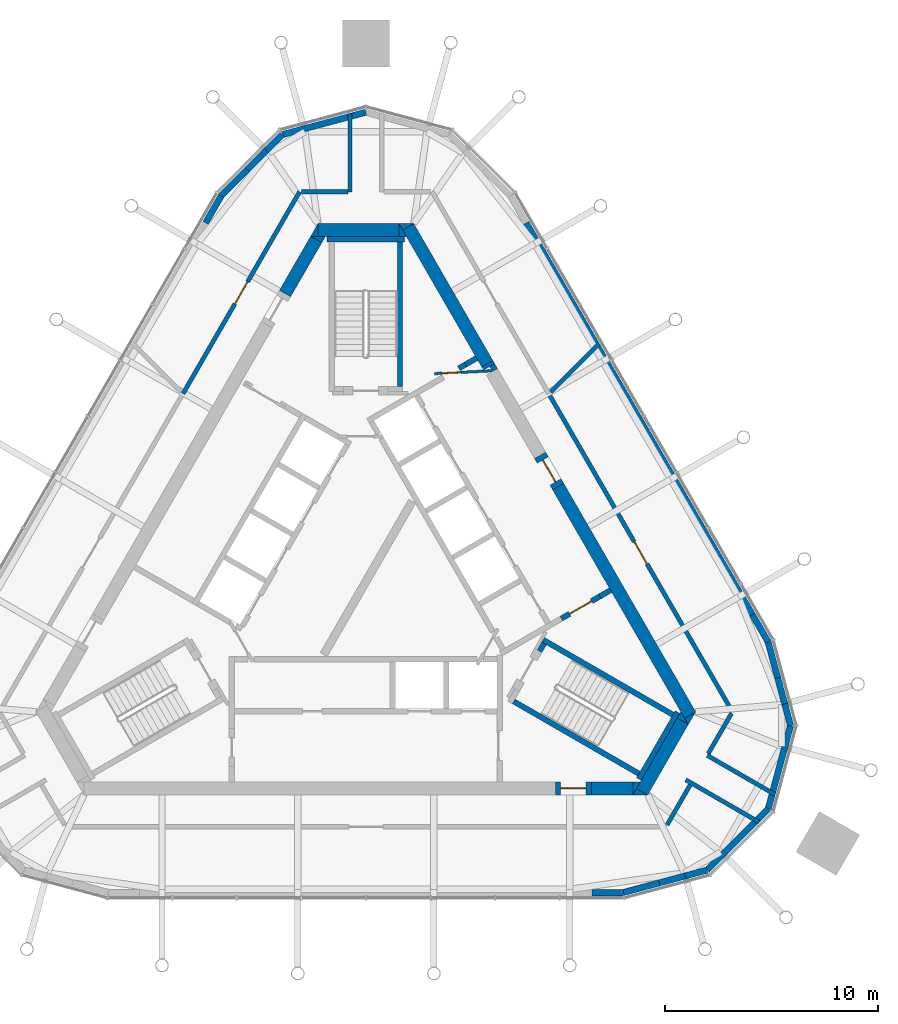
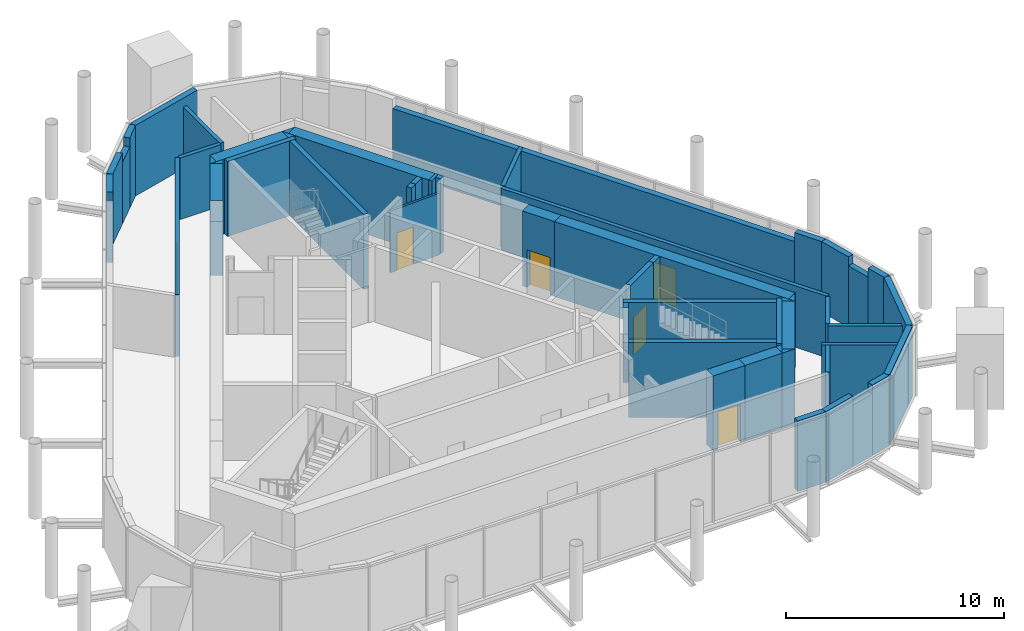
# One storey, part 9 of 11: 54 walls, 6 doors, 6 openings.
"""IFC4 building model written with IfcOpenShell, lengths in metres."""

from ifc_helpers import new_model, si_unit, direction, frame, frame_2d, origin, place, context, subcontext, project, spatial, polyline, rectangle, outline, extrude, material, layer, layer_set, type_object, element, fill, save


model = new_model("IFC4")

# Units and contexts
model_context = context("Model", 3, precision=1e-05, world=origin(), true_north=direction((0.0, 1.0)))
body_context = subcontext(model_context, "Body", "Model", "MODEL_VIEW")
ifc_project = project(units=[si_unit("LENGTHUNIT", "METRE"), si_unit("AREAUNIT", "SQUARE_METRE"), si_unit("VOLUMEUNIT", "CUBIC_METRE"), si_unit("PLANEANGLEUNIT", "RADIAN"), si_unit("MASSUNIT", "GRAM", prefix="KILO")], contexts=[model_context])

# Site, building, storey
site_placement = place(None, origin())
site = spatial("IfcSite", under=ifc_project, at=site_placement, CompositionType="ELEMENT")
building_placement = place(site_placement, origin())
building = spatial("IfcBuilding", under=site, at=building_placement, Name="Mestral Congress Tower", CompositionType="ELEMENT")
storey_placement = place(building_placement, frame((0.0, 0.0, 340.199951171875)))
storey = spatial("IfcBuildingStorey", under=building, at=storey_placement, Name="L79", CompositionType="ELEMENT", Elevation=340.199951171875)

# Wall, opening, door
ifc_material_1 = material(Name="Fire-rated board partition")
ifc_layer_1 = layer(ifc_material_1, 0.1201171875)
ifc_layer_set_1 = layer_set([ifc_layer_1], Name="Fire-rated board partition")
wall_type_1 = type_object("IfcWallType", Name="Core partition 150 door-wall 120", PredefinedType="PARTITIONING", material=ifc_layer_set_1)
wall_1_placement = place(storey_placement, frame((5.917236328125, 9.684326171875, 0.0), z_axis=(0.0, 0.0, 1.0), x_axis=(-0.998758194515, -0.049820366212, 0.0)))
wall_1 = element("IfcWall", 1, at=wall_1_placement, inside=storey, type_object=wall_type_1, Name="L79 door wall", PredefinedType="PARTITIONING", context=body_context, shape_type="SweptSolid", body=[
    extrude(rectangle(XDim=2.7001953125, YDim=0.119873046875, at=frame_2d((1.35009765625, 0.0))), origin(), (0.0, 0.0, 1.0), 3.449951171875),
])
opening_1_placement = place(wall_1_placement, frame((1.449951171875, 0.0, 0.0)))
opening_1 = element("IfcOpeningElement", 2, at=opening_1_placement, cuts=wall_1, Name="Opening TD2", PredefinedType="OPENING", context=body_context, shape_type="SweptSolid", body=[
    extrude(rectangle(XDim=0.89990234375, YDim=2.10009765625, at=frame_2d((0.449951171875, 1.050048828125))), frame((0.0, 0.06982421875, 0.0), z_axis=(0.0, -1.0, 0.0), x_axis=(1.0, 0.0, 0.0)), (0.0, 0.0, 1.0), 0.139892578125),
])
ifc_material_2 = material(Name="Fire-rated steel door set", Category="steel")
door_type_1 = type_object("IfcDoorType", Name="Core door SR 900x2100", OperationType="SINGLE_SWING_LEFT", PredefinedType="DOOR", material=ifc_material_2)
door_1_placement = place(opening_1_placement, origin())
door_1 = element("IfcDoor", 3, at=door_1_placement, inside=storey, type_object=door_type_1, Name="Door TD2", OperationType="SINGLE_SWING_LEFT", OverallHeight=2.10009765625, OverallWidth=0.89990234375, PredefinedType="DOOR", context=body_context, shape_type="SweptSolid", body=[
    extrude(rectangle(XDim=0.89990234375, YDim=2.10009765625, at=frame_2d((0.449951171875, 1.050048828125))), frame((0.0, 0.02490234375, 0.0), z_axis=(0.0, -1.0, 0.0), x_axis=(1.0, 0.0, 0.0)), (0.0, 0.0, 1.0), 0.050048828125),
])
fill(opening_1, door_1)

# Walls
ifc_material_3 = material(Name="Concrete C60/75", Category="concrete")
ifc_layer_2 = layer(ifc_material_3, 0.60009765625)
ifc_layer_set_2 = layer_set([ifc_layer_2], Name="Concrete C60/75")
wall_type_2 = type_object("IfcWallType", Name="Core wall RC 600", PredefinedType="SOLIDWALL", material=ifc_layer_set_2)
wall_2_placement = place(storey_placement, frame((9.0419921875, 4.23876953125, 0.0), z_axis=(0.0, 0.0, 1.0), x_axis=(0.500005785455, -0.866022063525, 0.0)))
element("IfcWall", 4, at=wall_2_placement, inside=storey, type_object=wall_type_2, Name="L79 core wall", PredefinedType="SOLIDWALL", context=body_context, shape_type="SweptSolid", body=[
    extrude(rectangle(XDim=12.406494140625, YDim=0.60009765625, at=frame_2d((6.203125, 0.0))), origin(), (0.0, 0.0, 1.0), 4.199951171875),
])
placement = place(storey_placement, origin())
element("IfcWall", 5, at=placement, inside=storey, type_object=wall_type_2, Name="L79 core wall", PredefinedType="SOLIDWALL", context=body_context, shape_type="SweptSolid", body=[
    extrude(outline(polyline([(15.155517578125, -6.949951171875), (14.986572265625, -6.6572265625), (15.493408203125, -6.364501953125), (15.155517578125, -6.949951171875)])), origin(), (0.0, 0.0, 1.0), 4.199951171875),
])
wall_4_placement = place(storey_placement, frame((12.9873046875, -10.105712890625, 0.0), z_axis=(0.0, 0.0, 1.0), x_axis=(0.499950938802, 0.866053727428, 0.0)))
element("IfcWall", 6, at=wall_4_placement, inside=storey, type_object=wall_type_2, Name="L79 core wall", PredefinedType="SOLIDWALL", context=body_context, shape_type="SweptSolid", body=[
    extrude(rectangle(XDim=3.8232421875, YDim=0.60009765625, at=frame_2d((1.91162109375, 0.0))), origin(), (0.0, 0.0, 1.0), 4.199951171875),
])
element("IfcWall", 7, at=placement, inside=storey, type_object=wall_type_2, Name="L79 core wall", PredefinedType="SOLIDWALL", context=body_context, shape_type="SweptSolid", body=[
    extrude(outline(polyline([(12.726318359375, -9.957275390625), (13.2333984375, -10.25), (12.557373046875, -10.25), (12.726318359375, -9.957275390625)])), origin(), (0.0, 0.0, 1.0), 4.199951171875),
])
element("IfcWall", 8, at=placement, inside=storey, type_object=wall_type_2, Name="L79 core wall", PredefinedType="SOLIDWALL", context=body_context, shape_type="SweptSolid", body=[
    extrude(outline(polyline([(14.80908203125, -6.35009765625), (15.147216796875, -6.935791015625), (14.639892578125, -6.642822265625), (14.80908203125, -6.35009765625)])), origin(), (0.0, 0.0, 1.0), 4.199951171875),
])
wall_7_placement = place(storey_placement, frame((10.6044921875, -9.949951171875, 0.0), z_axis=(0.0, 0.0, 1.0), x_axis=(1.0, 0.0, 0.0)))
element("IfcWall", 9, at=wall_7_placement, inside=storey, type_object=wall_type_2, Name="L79 core wall", PredefinedType="SOLIDWALL", context=body_context, shape_type="SweptSolid", body=[
    extrude(rectangle(XDim=1.959228515625, YDim=0.60009765625, at=frame_2d((0.9794921875, 0.0))), origin(), (0.0, 0.0, 1.0), 4.199951171875),
])
element("IfcWall", 10, at=placement, inside=storey, type_object=wall_type_2, Name="L79 core wall", PredefinedType="SOLIDWALL", context=body_context, shape_type="SweptSolid", body=[
    extrude(outline(polyline([(12.90380859375, -9.64990234375), (12.56591796875, -10.235595703125), (12.56591796875, -9.64990234375), (12.90380859375, -9.64990234375)])), origin(), (0.0, 0.0, 1.0), 4.199951171875),
])
wall_9_placement = place(storey_placement, frame((5.708740234375, 10.01220703125, 0.0), z_axis=(0.0, 0.0, 1.0), x_axis=(0.500399834964, -0.865794435861, 0.0)))
element("IfcWall", 11, at=wall_9_placement, inside=storey, type_object=wall_type_2, Name="L79 core wall", PredefinedType="SOLIDWALL", context=body_context, shape_type="SweptSolid", body=[
    extrude(rectangle(XDim=0.166259765625, YDim=0.60009765625, at=frame_2d((0.0830078125, 0.0))), origin(), (0.0, 0.0, 1.0), 4.199951171875),
])
element("IfcWall", 12, at=placement, inside=storey, type_object=wall_type_2, Name="L79 core wall", PredefinedType="SOLIDWALL", context=body_context, shape_type="SweptSolid", body=[
    extrude(outline(polyline([(6.052734375, 10.016357421875), (6.186767578125, 9.7841796875), (5.961181640625, 9.654052734375), (5.8271484375, 9.88623046875), (6.052734375, 10.016357421875)])), origin(), (0.0, 0.0, 1.0), 4.199951171875),
])
wall_11_placement = place(storey_placement, frame((1.98876953125, 16.45556640625, 0.0), z_axis=(0.0, 0.0, 1.0), x_axis=(0.499990476767, -0.866030901956, 0.0)))
element("IfcWall", 13, at=wall_11_placement, inside=storey, type_object=wall_type_2, Name="L79 core wall", PredefinedType="SOLIDWALL", context=body_context, shape_type="SweptSolid", body=[
    extrude(rectangle(XDim=7.438232421875, YDim=0.60009765625, at=frame_2d((3.71923828125, 0.0))), origin(), (0.0, 0.0, 1.0), 4.199951171875),
])
element("IfcWall", 14, at=placement, inside=storey, type_object=wall_type_2, Name="L79 core wall", PredefinedType="SOLIDWALL", context=body_context, shape_type="SweptSolid", body=[
    extrude(outline(polyline([(1.558837890625, 16.60009765625), (2.23486328125, 16.60009765625), (1.727783203125, 16.307373046875), (1.558837890625, 16.60009765625)])), origin(), (0.0, 0.0, 1.0), 4.199951171875),
])
wall_13_placement = place(storey_placement, frame((-2.258056640625, 16.300048828125, 0.0), z_axis=(0.0, 0.0, 1.0), x_axis=(1.0, 0.0, 0.0)))
element("IfcWall", 15, at=wall_13_placement, inside=storey, type_object=wall_type_2, Name="L79 core wall", PredefinedType="SOLIDWALL", context=body_context, shape_type="SweptSolid", body=[
    extrude(rectangle(XDim=3.8232421875, YDim=0.60009765625, at=frame_2d((1.91162109375, 0.0))), origin(), (0.0, 0.0, 1.0), 4.199951171875),
])
element("IfcWall", 16, at=placement, inside=storey, type_object=wall_type_2, Name="L79 core wall", PredefinedType="SOLIDWALL", context=body_context, shape_type="SweptSolid", body=[
    extrude(outline(polyline([(1.9052734375, 16.0), (1.5673828125, 16.0), (1.5673828125, 16.58544921875), (1.9052734375, 16.0)])), origin(), (0.0, 0.0, 1.0), 4.199951171875),
])
element("IfcWall", 17, at=placement, inside=storey, type_object=wall_type_2, Name="L79 core wall", PredefinedType="SOLIDWALL", context=body_context, shape_type="SweptSolid", body=[
    extrude(outline(polyline([(-2.59814453125, 16.0), (-2.260009765625, 16.58544921875), (-2.260009765625, 16.0), (-2.59814453125, 16.0)])), origin(), (0.0, 0.0, 1.0), 4.199951171875),
])
wall_16_placement = place(storey_placement, frame((-2.335205078125, 15.85546875, 0.0), z_axis=(0.0, 0.0, 1.0), x_axis=(-0.499960127962, -0.866048422692, 0.0)))
element("IfcWall", 18, at=wall_16_placement, inside=storey, type_object=wall_type_2, Name="L79 core wall", PredefinedType="SOLIDWALL", context=body_context, shape_type="SweptSolid", body=[
    extrude(rectangle(XDim=2.934326171875, YDim=0.60009765625, at=frame_2d((1.46728515625, 0.0))), origin(), (0.0, 0.0, 1.0), 4.199951171875),
])
element("IfcWall", 19, at=placement, inside=storey, type_object=wall_type_2, Name="L79 core wall", PredefinedType="SOLIDWALL", context=body_context, shape_type="SweptSolid", body=[
    extrude(outline(polyline([(-1.9052734375, 16.0), (-2.07421875, 15.707275390625), (-2.581298828125, 16.0), (-1.9052734375, 16.0)])), origin(), (0.0, 0.0, 1.0), 4.199951171875),
])

# Wall, opening, door
wall_18_placement = place(storey_placement, frame((10.6044921875, -9.949951171875, 0.0), z_axis=(0.0, 0.0, 1.0), x_axis=(-1.0, 0.0, 0.0)))
wall_18 = element("IfcWall", 20, at=wall_18_placement, inside=storey, type_object=wall_type_2, Name="L79 door wall", PredefinedType="SOLIDWALL", context=body_context, shape_type="SweptSolid", body=[
    extrude(rectangle(XDim=1.699951171875, YDim=0.60009765625, at=frame_2d((0.85009765625, 0.0))), origin(), (0.0, 0.0, 1.0), 4.199951171875),
])
opening_2_placement = place(wall_18_placement, frame((0.25, 0.0, 0.0)))
opening_2 = element("IfcOpeningElement", 21, at=opening_2_placement, cuts=wall_18, Name="Opening XD1", PredefinedType="OPENING", context=body_context, shape_type="SweptSolid", body=[
    extrude(rectangle(XDim=1.199951171875, YDim=2.10009765625, at=frame_2d((0.60009765625, 1.050048828125))), frame((0.0, 0.31005859375, 0.0), z_axis=(0.0, -1.0, 0.0), x_axis=(1.0, 0.0, 0.0)), (0.0, 0.0, 1.0), 0.6201171875),
])
door_type_2 = type_object("IfcDoorType", Name="Core door XD 1200x2100", OperationType="SINGLE_SWING_LEFT", PredefinedType="DOOR", material=ifc_material_2)
door_2_placement = place(opening_2_placement, origin())
door_2 = element("IfcDoor", 22, at=door_2_placement, inside=storey, type_object=door_type_2, Name="Door XD1", OperationType="SINGLE_SWING_LEFT", OverallHeight=2.10009765625, OverallWidth=1.199951171875, PredefinedType="DOOR", context=body_context, shape_type="SweptSolid", body=[
    extrude(rectangle(XDim=1.199951171875, YDim=2.10009765625, at=frame_2d((0.60009765625, 1.050048828125))), frame((0.0, 0.02490234375, 0.0), z_axis=(0.0, -1.0, 0.0), x_axis=(1.0, 0.0, 0.0)), (0.0, 0.0, 1.0), 0.050048828125),
])
fill(opening_2, door_2)

wall_19_placement = place(storey_placement, frame((8.19189453125, 5.711181640625, 0.0), z_axis=(0.0, 0.0, 1.0), x_axis=(0.500062241894, -0.865989465428, 0.0)))
wall_19 = element("IfcWall", 23, at=wall_19_placement, inside=storey, type_object=wall_type_2, Name="L79 door wall", PredefinedType="SOLIDWALL", context=body_context, shape_type="SweptSolid", body=[
    extrude(rectangle(XDim=1.699951171875, YDim=0.60009765625, at=frame_2d((0.85009765625, 0.0))), origin(), (0.0, 0.0, 1.0), 4.199951171875),
])
opening_3_placement = place(wall_19_placement, frame((0.25, 0.0, 0.0)))
opening_3 = element("IfcOpeningElement", 24, at=opening_3_placement, cuts=wall_19, Name="Opening XDL", PredefinedType="OPENING", context=body_context, shape_type="SweptSolid", body=[
    extrude(rectangle(XDim=1.199951171875, YDim=2.10009765625, at=frame_2d((0.60009765625, 1.050048828125))), frame((0.0, 0.31005859375, 0.0), z_axis=(0.0, -1.0, 0.0), x_axis=(1.0, 0.0, 0.0)), (0.0, 0.0, 1.0), 0.6201171875),
])
door_3_placement = place(opening_3_placement, origin())
door_3 = element("IfcDoor", 25, at=door_3_placement, inside=storey, type_object=door_type_2, Name="Door XDL", OperationType="SINGLE_SWING_LEFT", OverallHeight=2.10009765625, OverallWidth=1.199951171875, PredefinedType="DOOR", context=body_context, shape_type="SweptSolid", body=[
    extrude(rectangle(XDim=1.199951171875, YDim=2.10009765625, at=frame_2d((0.60009765625, 1.050048828125))), frame((0.0, 0.02490234375, 0.0), z_axis=(0.0, -1.0, 0.0), x_axis=(1.0, 0.0, 0.0)), (0.0, 0.0, 1.0), 0.050048828125),
])
fill(opening_3, door_3)

# Walls
ifc_material_4 = material(Name="Precast concrete C40/50 with limestone facing", Category="masonry")
ifc_layer_3 = layer(ifc_material_4, 0.300048828125)
ifc_layer_set_3 = layer_set([ifc_layer_3], Name="Precast concrete C40/50 with limestone facing")
wall_type_3 = type_object("IfcWallType", Name="Crown plant block wall 300", PredefinedType="SOLIDWALL", material=ifc_layer_set_3)
wall_20_placement = place(storey_placement, frame((12.104736328125, -14.85009765625, 0.0), z_axis=(0.0, 0.0, 1.0), x_axis=(0.965915089044, 0.258859113723, 0.0)))
element("IfcWall", 26, at=wall_20_placement, inside=storey, type_object=wall_type_3, Name="Plant block wall 1", PredefinedType="SOLIDWALL", context=body_context, shape_type="SweptSolid", body=[
    extrude(rectangle(XDim=1.75244140625, YDim=0.300048828125, at=frame_2d((0.876220703125, 0.0))), origin(), (0.0, 0.0, 1.0), 3.949951171875),
])
wall_21_placement = place(storey_placement, frame((15.018310546875, -14.0693359375, 0.0), z_axis=(0.0, 0.0, 1.0), x_axis=(0.965918371587, 0.258846864828, 0.0)))
element("IfcWall", 27, at=wall_21_placement, inside=storey, type_object=wall_type_3, Name="Plant block wall 1", PredefinedType="SOLIDWALL", context=body_context, shape_type="SweptSolid", body=[
    extrude(rectangle(XDim=1.06494140625, YDim=0.300048828125, at=frame_2d((0.532470703125, 0.0))), origin(), (0.0, 0.0, 1.0), 3.949951171875),
])
for number, where, z_axis, x_axis, name in (
    (28, (16.046875, -13.793701171875, 0.0), (0.0, 0.0, 1.0), (0.707106781187, 0.707106781187, 0.0), "Plant block wall 2"),
    (29, (18.918212890625, -10.92236328125, 0.0), (0.0, 0.0, 1.0), (0.258770144726, 0.965938927779, 0.0), "Plant block wall 3"),
):
    element("IfcWall", number, at=place(storey_placement, frame(where, z_axis=z_axis, x_axis=x_axis)), inside=storey, type_object=wall_type_3, Name=name, PredefinedType="SOLIDWALL", context=body_context, shape_type="SweptSolid", body=[
        extrude(rectangle(XDim=4.060791015625, YDim=0.300048828125, at=frame_2d((2.0302734375, 0.0))), origin(), (0.0, 0.0, 1.0), 3.949951171875),
    ])
wall_22_placement = place(storey_placement, frame((19.968994140625, -7.0, 0.0), z_axis=(0.0, 0.0, 1.0), x_axis=(-0.258690231517, 0.96596033258, 0.0)))
element("IfcWall", 30, at=wall_22_placement, inside=storey, type_object=wall_type_3, Name="Plant block wall 4", PredefinedType="SOLIDWALL", context=body_context, shape_type="SweptSolid", body=[
    extrude(rectangle(XDim=1.064453125, YDim=0.300048828125, at=frame_2d((0.5322265625, 0.0))), origin(), (0.0, 0.0, 1.0), 3.949951171875),
])
wall_23_placement = place(storey_placement, frame((19.366455078125, -4.750732421875, 0.0), z_axis=(0.0, 0.0, 1.0), x_axis=(-0.258824282894, 0.965924422812, 0.0)))
element("IfcWall", 31, at=wall_23_placement, inside=storey, type_object=wall_type_3, Name="Plant block wall 4", PredefinedType="SOLIDWALL", context=body_context, shape_type="SweptSolid", body=[
    extrude(rectangle(XDim=1.752685546875, YDim=0.300048828125, at=frame_2d((0.87646484375, 0.0))), origin(), (0.0, 0.0, 1.0), 3.949951171875),
])
wall_24_placement = place(storey_placement, frame((18.912841796875, -3.057861328125, 0.0), z_axis=(0.0, 0.0, 1.0), x_axis=(-0.500049712553, 0.865996700326, 0.0)))
element("IfcWall", 32, at=wall_24_placement, inside=storey, type_object=wall_type_3, Name="Plant block wall 5", PredefinedType="SOLIDWALL", context=body_context, shape_type="SweptSolid", body=[
    extrude(rectangle(XDim=1.463623046875, YDim=0.300048828125, at=frame_2d((0.73193359375, 0.0))), origin(), (0.0, 0.0, 1.0), 3.949951171875),
])
wall_25_placement = place(storey_placement, frame((0.0, 21.8447265625, 0.0), z_axis=(0.0, 0.0, 1.0), x_axis=(-0.965923898226, -0.258826240624, 0.0)))
element("IfcWall", 33, at=wall_25_placement, inside=storey, type_object=wall_type_3, Name="Plant block wall 8", PredefinedType="SOLIDWALL", context=body_context, shape_type="SweptSolid", body=[
    extrude(rectangle(XDim=4.060791015625, YDim=0.300048828125, at=frame_2d((2.0302734375, 0.0))), origin(), (0.0, 0.0, 1.0), 3.949951171875),
])
wall_26_placement = place(storey_placement, frame((-3.92236328125, 20.793701171875, 0.0), z_axis=(0.0, 0.0, 1.0), x_axis=(-0.707106781187, -0.707106781187, 0.0)))
element("IfcWall", 34, at=wall_26_placement, inside=storey, type_object=wall_type_3, Name="Plant block wall 9", PredefinedType="SOLIDWALL", context=body_context, shape_type="SweptSolid", body=[
    extrude(rectangle(XDim=1.064697265625, YDim=0.300048828125, at=frame_2d((0.5322265625, 0.0))), origin(), (0.0, 0.0, 1.0), 3.949951171875),
])
wall_27_placement = place(storey_placement, frame((-5.5693359375, 19.146728515625, 0.0), z_axis=(0.0, 0.0, 1.0), x_axis=(-0.707106781187, -0.707106781187, 0.0)))
element("IfcWall", 35, at=wall_27_placement, inside=storey, type_object=wall_type_3, Name="Plant block wall 9", PredefinedType="SOLIDWALL", context=body_context, shape_type="SweptSolid", body=[
    extrude(rectangle(XDim=1.751953125, YDim=0.300048828125, at=frame_2d((0.8759765625, 0.0))), origin(), (0.0, 0.0, 1.0), 3.949951171875),
])
for number, where, z_axis, x_axis, name in (
    (36, (-6.80810546875, 17.907958984375, 0.0), (0.0, 0.0, 1.0), (-0.499977492351, -0.866038398192, 0.0), "Plant block wall 10"),
    (37, (10.640869140625, -14.85009765625, 0.0), (0.0, 0.0, 1.0), (1.0, 0.0, 0.0), "Plant block wall 15"),
):
    element("IfcWall", number, at=place(storey_placement, frame(where, z_axis=z_axis, x_axis=x_axis)), inside=storey, type_object=wall_type_3, Name=name, PredefinedType="SOLIDWALL", context=body_context, shape_type="SweptSolid", body=[
        extrude(rectangle(XDim=1.4638671875, YDim=0.300048828125, at=frame_2d((0.73193359375, 0.0))), origin(), (0.0, 0.0, 1.0), 3.949951171875),
    ])
ifc_layer_4 = layer(ifc_material_4, 0.300048828125)
ifc_layer_set_4 = layer_set([ifc_layer_4], Name="Precast concrete C40/50 with limestone facing")
wall_type_4 = type_object("IfcWallType", Name="Crown plant block wall 300 under girder", PredefinedType="SOLIDWALL", material=ifc_layer_set_4)
for number, where, z_axis, x_axis, name in (
    (38, (13.79736328125, -14.396484375, 0.0), (0.0, 0.0, 1.0), (0.965926498018, 0.258816538161, 0.0), "Plant block wall 1"),
    (39, (19.693603515625, -5.9716796875, 0.0), (0.0, 0.0, 1.0), (-0.258816538161, 0.965926498018, 0.0), "Plant block wall 4"),
):
    element("IfcWall", number, at=place(storey_placement, frame(where, z_axis=z_axis, x_axis=x_axis)), inside=storey, type_object=wall_type_4, Name=name, PredefinedType="SOLIDWALL", context=body_context, shape_type="SweptSolid", body=[
        extrude(rectangle(XDim=1.263916015625, YDim=0.300048828125, at=frame_2d((0.6318359375, 0.0))), origin(), (0.0, 0.0, 1.0), 3.449951171875),
    ])
wall_28_placement = place(storey_placement, frame((18.180908203125, -1.790283203125, 0.0), z_axis=(0.0, 0.0, 1.0), x_axis=(-0.500002158106, 0.866024157798, 0.0)))
element("IfcWall", 40, at=wall_28_placement, inside=storey, type_object=wall_type_4, Name="Plant block wall 5", PredefinedType="SOLIDWALL", context=body_context, shape_type="SweptSolid", body=[
    extrude(rectangle(XDim=21.28173828125, YDim=0.300048828125, at=frame_2d((10.640869140625, 0.0))), origin(), (0.0, 0.0, 1.0), 3.449951171875),
])
wall_29_placement = place(storey_placement, frame((-4.67529296875, 20.040771484375, 0.0), z_axis=(0.0, 0.0, 1.0), x_axis=(-0.707106781187, -0.707106781187, 0.0)))
element("IfcWall", 41, at=wall_29_placement, inside=storey, type_object=wall_type_4, Name="Plant block wall 9", PredefinedType="SOLIDWALL", context=body_context, shape_type="SweptSolid", body=[
    extrude(rectangle(XDim=1.264404296875, YDim=0.300048828125, at=frame_2d((0.63232421875, 0.0))), origin(), (0.0, 0.0, 1.0), 3.449951171875),
])
ifc_layer_5 = layer(ifc_material_3, 0.25)
ifc_layer_set_5 = layer_set([ifc_layer_5], Name="Concrete C60/75")
wall_type_5 = type_object("IfcWallType", Name="Shaft wall RC 250", PredefinedType="SOLIDWALL", material=ifc_layer_set_5)
wall_30_placement = place(storey_placement, frame((11.507080078125, -0.631103515625, 0.0), z_axis=(0.0, 0.0, 1.0), x_axis=(-0.866093731455, -0.499881634324, 0.0)))
element("IfcWall", 42, at=wall_30_placement, inside=storey, type_object=wall_type_5, Name="L79 core wall", PredefinedType="SOLIDWALL", context=body_context, shape_type="SweptSolid", body=[
    extrude(rectangle(XDim=0.575439453125, YDim=0.25, at=frame_2d((0.28759765625, 0.0))), origin(), (0.0, 0.0, 1.0), 4.199951171875),
])
wall_31_placement = place(storey_placement, frame((4.6875, 9.98095703125, 0.0), z_axis=(0.0, 0.0, 1.0), x_axis=(-0.865974312977, -0.500088481434, 0.0)))
element("IfcWall", 43, at=wall_31_placement, inside=storey, type_object=wall_type_5, Name="L79 core wall", PredefinedType="SOLIDWALL", context=body_context, shape_type="SweptSolid", body=[
    extrude(rectangle(XDim=0.36572265625, YDim=0.25, at=frame_2d((0.182861328125, 0.0))), origin(), (0.0, 0.0, 1.0), 4.199951171875),
])
wall_32_placement = place(storey_placement, frame((4.689208984375, 9.98193359375, 0.0), z_axis=(0.0, 0.0, 1.0), x_axis=(0.865947592822, 0.500134748329, 0.0)))
element("IfcWall", 44, at=wall_32_placement, inside=storey, type_object=wall_type_5, Name="L79 core wall", PredefinedType="SOLIDWALL", context=body_context, shape_type="SweptSolid", body=[
    extrude(rectangle(XDim=0.597900390625, YDim=0.25, at=frame_2d((0.298828125, 0.0))), origin(), (0.0, 0.0, 1.0), 4.199951171875),
])

# Wall, opening, door
wall_33_placement = place(storey_placement, frame((11.0087890625, -0.918701171875, 0.0), z_axis=(0.0, 0.0, 1.0), x_axis=(-0.866059744384, -0.49994051562, 0.0)))
wall_33 = element("IfcWall", 45, at=wall_33_placement, inside=storey, type_object=wall_type_5, Name="L79 door wall", PredefinedType="SOLIDWALL", context=body_context, shape_type="SweptSolid", body=[
    extrude(rectangle(XDim=2.099853515625, YDim=0.25, at=frame_2d((1.0498046875, 0.0))), origin(), (0.0, 0.0, 1.0), 4.199951171875),
])
opening_4_placement = place(wall_33_placement, frame((0.449951171875, 0.0, 0.0)))
opening_4 = element("IfcOpeningElement", 46, at=opening_4_placement, cuts=wall_33, Name="Opening LB1-PX10", PredefinedType="OPENING", context=body_context, shape_type="SweptSolid", body=[
    extrude(rectangle(XDim=1.199951171875, YDim=2.10009765625, at=frame_2d((0.60009765625, 1.050048828125))), frame((0.0, 0.135009765625, 0.0), z_axis=(0.0, -1.0, 0.0), x_axis=(1.0, 0.0, 0.0)), (0.0, 0.0, 1.0), 0.27001953125),
])
door_type_3 = type_object("IfcDoorType", Name="Core door LB 1200x2100", OperationType="SINGLE_SWING_LEFT", PredefinedType="DOOR", material=ifc_material_2)
door_4_placement = place(opening_4_placement, origin())
door_4 = element("IfcDoor", 47, at=door_4_placement, inside=storey, type_object=door_type_3, Name="Door LB1-PX10", OperationType="SINGLE_SWING_LEFT", OverallHeight=2.10009765625, OverallWidth=1.199951171875, PredefinedType="DOOR", context=body_context, shape_type="SweptSolid", body=[
    extrude(rectangle(XDim=1.199951171875, YDim=2.10009765625, at=frame_2d((0.60009765625, 1.050048828125))), frame((0.0, 0.02490234375, 0.0), z_axis=(0.0, -1.0, 0.0), x_axis=(1.0, 0.0, 0.0)), (0.0, 0.0, 1.0), 0.050048828125),
])
fill(opening_4, door_4)

ifc_material_5 = material(Name="Concrete block wall, plastered", Category="concrete")
ifc_layer_6 = layer(ifc_material_5, 0.199951171875)
ifc_layer_set_6 = layer_set([ifc_layer_6], Name="Concrete block wall, plastered")
wall_type_6 = type_object("IfcWallType", Name="Special partition 200 EI 120", PredefinedType="PARTITIONING", material=ifc_layer_set_6)
wall_34_placement = place(storey_placement, frame((17.23388671875, -6.35009765625, 0.0), z_axis=(0.0, 0.0, 1.0), x_axis=(-0.499992973356, 0.866029460581, 0.0)))
wall_34 = element("IfcWall", 48, at=wall_34_placement, inside=storey, type_object=wall_type_6, Name="Partition", PredefinedType="PARTITIONING", context=body_context, shape_type="SweptSolid", body=[
    extrude(rectangle(XDim=17.264892578125, YDim=0.199951171875, at=frame_2d((8.63232421875, 0.0))), origin(), (0.0, 0.0, 1.0), 3.449951171875),
])
opening_5_placement = place(wall_34_placement, frame((8.032470703125, 0.0, 0.0)))
opening_5 = element("IfcOpeningElement", 49, at=opening_5_placement, cuts=wall_34, Name="Opening K79-002", PredefinedType="OPENING", context=body_context, shape_type="SweptSolid", body=[
    extrude(rectangle(XDim=1.199951171875, YDim=2.10009765625, at=frame_2d((0.60009765625, 1.050048828125))), frame((0.0, 0.10986328125, 0.0), z_axis=(0.0, -1.0, 0.0), x_axis=(1.0, 0.0, 0.0)), (0.0, 0.0, 1.0), 0.219970703125),
])
door_type_4 = type_object("IfcDoorType", Name="Plant room door 1200x2100", OperationType="SINGLE_SWING_LEFT", PredefinedType="DOOR", material=ifc_material_2)
door_5_placement = place(opening_5_placement, origin())
door_5 = element("IfcDoor", 50, at=door_5_placement, inside=storey, type_object=door_type_4, Name="Door K79-002", OperationType="SINGLE_SWING_LEFT", OverallHeight=2.10009765625, OverallWidth=1.199951171875, PredefinedType="DOOR", context=body_context, shape_type="SweptSolid", body=[
    extrude(rectangle(XDim=1.199951171875, YDim=2.10009765625, at=frame_2d((0.60009765625, 1.050048828125))), frame((0.0, 0.02490234375, 0.0), z_axis=(0.0, -1.0, 0.0), x_axis=(1.0, 0.0, 0.0)), (0.0, 0.0, 1.0), 0.050048828125),
])
fill(opening_5, door_5)

wall_35_placement = place(storey_placement, frame((-3.11767578125, 18.10009765625, 0.0), z_axis=(0.0, 0.0, 1.0), x_axis=(-0.499996953601, -0.866027162616, 0.0)))
wall_35 = element("IfcWall", 51, at=wall_35_placement, inside=storey, type_object=wall_type_6, Name="Partition", PredefinedType="PARTITIONING", context=body_context, shape_type="SweptSolid", body=[
    extrude(rectangle(XDim=10.9580078125, YDim=0.199951171875, at=frame_2d((5.47900390625, 0.0))), origin(), (0.0, 0.0, 1.0), 3.449951171875),
])
opening_6_placement = place(wall_35_placement, frame((4.87890625, 0.0, 0.0)))
opening_6 = element("IfcOpeningElement", 52, at=opening_6_placement, cuts=wall_35, Name="Opening K79-004", PredefinedType="OPENING", context=body_context, shape_type="SweptSolid", body=[
    extrude(rectangle(XDim=1.199951171875, YDim=2.10009765625, at=frame_2d((0.60009765625, 1.050048828125))), frame((0.0, 0.10986328125, 0.0), z_axis=(0.0, -1.0, 0.0), x_axis=(1.0, 0.0, 0.0)), (0.0, 0.0, 1.0), 0.219970703125),
])
door_6_placement = place(opening_6_placement, origin())
door_6 = element("IfcDoor", 53, at=door_6_placement, inside=storey, type_object=door_type_4, Name="Door K79-004", OperationType="SINGLE_SWING_RIGHT", OverallHeight=2.10009765625, OverallWidth=1.199951171875, PredefinedType="DOOR", context=body_context, shape_type="SweptSolid", body=[
    extrude(rectangle(XDim=1.199951171875, YDim=2.10009765625, at=frame_2d((0.60009765625, 1.050048828125))), frame((0.0, 0.02490234375, 0.0), z_axis=(0.0, -1.0, 0.0), x_axis=(1.0, 0.0, 0.0)), (0.0, 0.0, 1.0), 0.050048828125),
])
fill(opening_6, door_6)

# Walls
wall_36_placement = place(storey_placement, frame((16.050048828125, -8.400390625, 0.0), z_axis=(0.0, 0.0, 1.0), x_axis=(0.866026863259, -0.499997472108, 0.0)))
element("IfcWall", 54, at=wall_36_placement, inside=storey, type_object=wall_type_6, Name="Partition", PredefinedType="PARTITIONING", context=body_context, shape_type="SweptSolid", body=[
    extrude(rectangle(XDim=3.6884765625, YDim=0.199951171875, at=frame_2d((1.84423828125, 0.0))), origin(), (0.0, 0.0, 1.0), 3.449951171875),
])
wall_37_placement = place(storey_placement, frame((18.494384765625, -11.543701171875, 0.0), z_axis=(0.0, 0.0, 1.0), x_axis=(-0.866034723298, 0.499983857782, 0.0)))
element("IfcWall", 55, at=wall_37_placement, inside=storey, type_object=wall_type_6, Name="Partition", PredefinedType="PARTITIONING", context=body_context, shape_type="SweptSolid", body=[
    extrude(rectangle(XDim=3.988525390625, YDim=0.199951171875, at=frame_2d((1.994140625, 0.0))), origin(), (0.0, 0.0, 1.0), 3.449951171875),
])
wall_38_placement = place(storey_placement, frame((-0.75, 18.10009765625, 0.0), z_axis=(0.0, 0.0, 1.0), x_axis=(0.0, 1.0, 0.0)))
element("IfcWall", 56, at=wall_38_placement, inside=storey, type_object=wall_type_6, Name="Partition", PredefinedType="PARTITIONING", context=body_context, shape_type="SweptSolid", body=[
    extrude(rectangle(XDim=3.6884765625, YDim=0.199951171875, at=frame_2d((1.84423828125, 0.0))), origin(), (0.0, 0.0, 1.0), 3.449951171875),
])
wall_39_placement = place(storey_placement, frame((8.693603515625, 8.693603515625, 0.0), z_axis=(0.0, 0.0, 1.0), x_axis=(0.707106781187, 0.707106781187, 0.0)))
element("IfcWall", 57, at=wall_39_placement, inside=storey, type_object=wall_type_6, Name="Partition", PredefinedType="PARTITIONING", context=body_context, shape_type="SweptSolid", body=[
    extrude(rectangle(XDim=3.22412109375, YDim=0.199951171875, at=frame_2d((1.612060546875, 0.0))), origin(), (0.0, 0.0, 1.0), 3.449951171875),
])
wall_40_placement = place(storey_placement, frame((-3.027587890625, 18.10009765625, 0.0), z_axis=(0.0, 0.0, 1.0), x_axis=(1.0, 0.0, 0.0)))
element("IfcWall", 58, at=wall_40_placement, inside=storey, type_object=wall_type_6, Name="Partition", PredefinedType="PARTITIONING", context=body_context, shape_type="SweptSolid", body=[
    extrude(rectangle(XDim=2.177490234375, YDim=0.199951171875, at=frame_2d((1.0888671875, 0.0))), origin(), (0.0, 0.0, 1.0), 3.449951171875),
])
for number, where, z_axis, x_axis, name in (
    (59, (15.25, -9.7861328125, 0.0), (0.0, 0.0, 1.0), (-0.499997407846, -0.86602690036, 0.0), "Partition"),
    (60, (17.18896484375, -6.427978515625, 0.0), (0.0, 0.0, 1.0), (-0.499997407846, -0.86602690036, 0.0), "Partition"),
):
    element("IfcWall", number, at=place(storey_placement, frame(where, z_axis=z_axis, x_axis=x_axis)), inside=storey, type_object=wall_type_6, Name=name, PredefinedType="PARTITIONING", context=body_context, shape_type="SweptSolid", body=[
        extrude(rectangle(XDim=2.177734375, YDim=0.199951171875, at=frame_2d((1.0888671875, 0.0))), origin(), (0.0, 0.0, 1.0), 3.449951171875),
    ])
ifc_layer_7 = layer(ifc_material_3, 0.25)
ifc_layer_set_7 = layer_set([ifc_layer_7], Name="Concrete C60/75")
wall_type_7 = type_object("IfcWallType", Name="Stair wall RC 250", PredefinedType="SOLIDWALL", material=ifc_layer_set_7)
wall_41_placement = place(storey_placement, frame((12.839599609375, -9.510986328125, 0.0), z_axis=(0.0, 0.0, 1.0), x_axis=(0.500048121057, 0.865997619297, 0.0)))
element("IfcWall", 61, at=wall_41_placement, inside=storey, type_object=wall_type_7, Name="L79 core wall", PredefinedType="SOLIDWALL", context=body_context, shape_type="SweptSolid", body=[
    extrude(rectangle(XDim=3.634033203125, YDim=0.25, at=frame_2d((1.81689453125, 0.0))), origin(), (0.0, 0.0, 1.0), 4.199951171875),
])
wall_42_placement = place(storey_placement, frame((12.83984375, -9.2607421875, 0.0), z_axis=(0.0, 0.0, 1.0), x_axis=(-0.866013990052, 0.500019768644, 0.0)))
element("IfcWall", 62, at=wall_42_placement, inside=storey, type_object=wall_type_7, Name="L79 core wall", PredefinedType="SOLIDWALL", context=body_context, shape_type="SweptSolid", body=[
    extrude(rectangle(XDim=6.800048828125, YDim=0.25, at=frame_2d((3.39990234375, 0.0))), origin(), (0.0, 0.0, 1.0), 4.199951171875),
])
wall_43_placement = place(storey_placement, frame((8.33447265625, -2.96435546875, 0.0), z_axis=(0.0, 0.0, 1.0), x_axis=(0.866016039709, -0.500016218704, 0.0)))
element("IfcWall", 63, at=wall_43_placement, inside=storey, type_object=wall_type_7, Name="L79 core wall", PredefinedType="SOLIDWALL", context=body_context, shape_type="SweptSolid", body=[
    extrude(rectangle(XDim=7.050048828125, YDim=0.25, at=frame_2d((3.52490234375, 0.0))), origin(), (0.0, 0.0, 1.0), 4.199951171875),
])
wall_44_placement = place(storey_placement, frame((8.167724609375, -3.503173828125, 0.0), z_axis=(0.0, 0.0, 1.0), x_axis=(0.49972245349, 0.866185586049, 0.0)))
element("IfcWall", 64, at=wall_44_placement, inside=storey, type_object=wall_type_7, Name="L79 core wall", PredefinedType="SOLIDWALL", context=body_context, shape_type="SweptSolid", body=[
    extrude(rectangle(XDim=0.425048828125, YDim=0.25, at=frame_2d((0.21240234375, 0.0))), origin(), (0.0, 0.0, 1.0), 4.199951171875),
])
wall_45_placement = place(storey_placement, frame((-1.81689453125, 15.875, 0.0), z_axis=(0.0, 0.0, 1.0), x_axis=(1.0, 0.0, 0.0)))
element("IfcWall", 65, at=wall_45_placement, inside=storey, type_object=wall_type_7, Name="L79 core wall", PredefinedType="SOLIDWALL", context=body_context, shape_type="SweptSolid", body=[
    extrude(rectangle(XDim=3.6337890625, YDim=0.25, at=frame_2d((1.81689453125, 0.0))), origin(), (0.0, 0.0, 1.0), 4.199951171875),
])
wall_46_placement = place(storey_placement, frame((1.60009765625, 8.949951171875, 0.0), z_axis=(0.0, 0.0, 1.0), x_axis=(0.0, 1.0, 0.0)))
element("IfcWall", 66, at=wall_46_placement, inside=storey, type_object=wall_type_7, Name="L79 core wall", PredefinedType="SOLIDWALL", context=body_context, shape_type="SweptSolid", body=[
    extrude(rectangle(XDim=6.800048828125, YDim=0.25, at=frame_2d((3.39990234375, 0.0))), origin(), (0.0, 0.0, 1.0), 4.199951171875),
])

save(model, "model.ifc")
